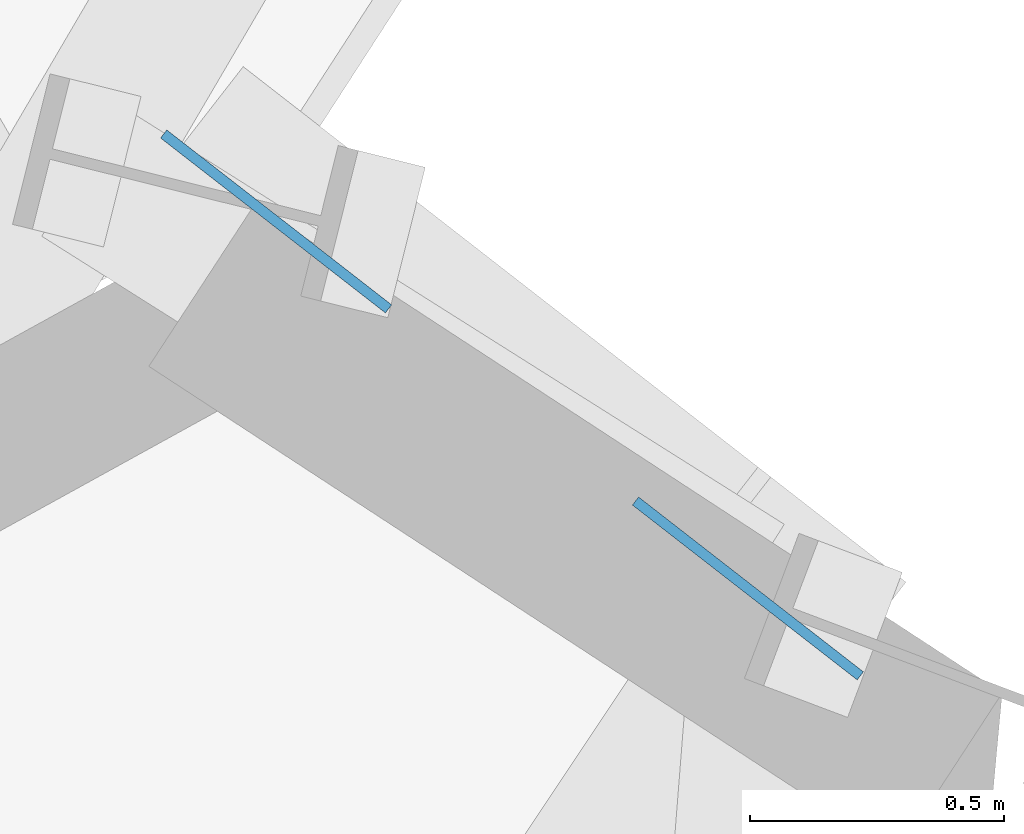
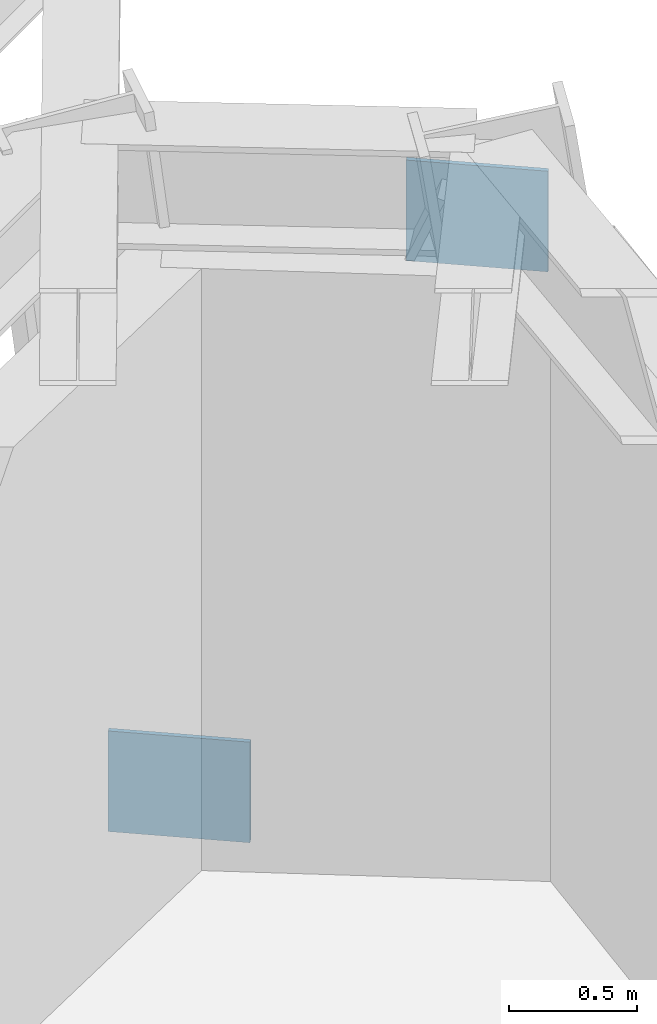
# One storey, part 7 of 13: 2 plates.
"""IFC4 building model written with IfcOpenShell, lengths in metres."""

from ifc_helpers import new_model, si_unit, direction, frame, origin, origin_2d, place, context, subcontext, project, spatial, rectangle, extrude, source, transform, mapped, material, type_object, element, save


model = new_model("IFC4")

# Units and contexts
model_context = context("Model", 3, precision=1e-05, world=origin(), true_north=direction((0.0, 1.0)))
body_context = subcontext(model_context, "Body", "Model", "MODEL_VIEW")
ifc_project = project(units=[si_unit("LENGTHUNIT", "METRE"), si_unit("AREAUNIT", "SQUARE_METRE"), si_unit("VOLUMEUNIT", "CUBIC_METRE"), si_unit("PLANEANGLEUNIT", "RADIAN"), si_unit("MASSUNIT", "GRAM", prefix="KILO")], contexts=[model_context])

# Site, building, storey
site_placement = place(None, origin())
site = spatial("IfcSite", under=ifc_project, at=site_placement, CompositionType="ELEMENT")
building_placement = place(site_placement, origin())
building = spatial("IfcBuilding", under=site, at=building_placement, Name="Olszyna Solenne Hotel", CompositionType="ELEMENT")
storey_placement = place(building_placement, frame((0.0, 0.0, 266.89990234375)))
storey = spatial("IfcBuildingStorey", under=building, at=storey_placement, Name="L71", CompositionType="ELEMENT", Elevation=266.89990234375)

# Plates
ifc_material = material(Name="Steel S355J2", Category="steel")
plate_type = type_object("IfcPlateType", Name="GP-ND2", PredefinedType="USERDEFINED", material=ifc_material)
shared_shape = source(origin(), body_context, "Body", "SweptSolid", [
    extrude(rectangle(XDim=0.56005859375, YDim=0.02001953125, at=origin_2d()), origin(), (0.0, 0.0, 1.0), 0.47998046875),
])
for number, where, z_axis, x_axis, name in (
    (1, (52.200439453125, 50.1044921875, -0.1005859375), (0.0, 0.0, 1.0), (0.789298462742, -0.614009720373, 0.0), "Brace end connection gusset plate GP-ND2 EP-BR-L71-1-1"),
    (2, (53.128173828125, 49.3828125, 2.73583984375), (0.0, 0.0, 1.0), (0.789298462742, -0.614009720373, 0.0), "Brace end connection gusset plate GP-ND2 EP-BR-L71-1-2"),
):
    element("IfcPlate", number, at=place(storey_placement, frame(where, z_axis=z_axis, x_axis=x_axis)), inside=storey, type_object=plate_type, Name=name, ObjectType="GUSSET_PLATE", PredefinedType="USERDEFINED", context=body_context, shape_type="MappedRepresentation", body=[
        mapped(shared_shape, transform((0.0, 0.0, 0.0), x_axis=(1.0, 0.0, 0.0), y_axis=(0.0, 1.0, 0.0), z_axis=(0.0, 0.0, 1.0), scale=1.0)),
    ])

save(model, "model.ifc")
